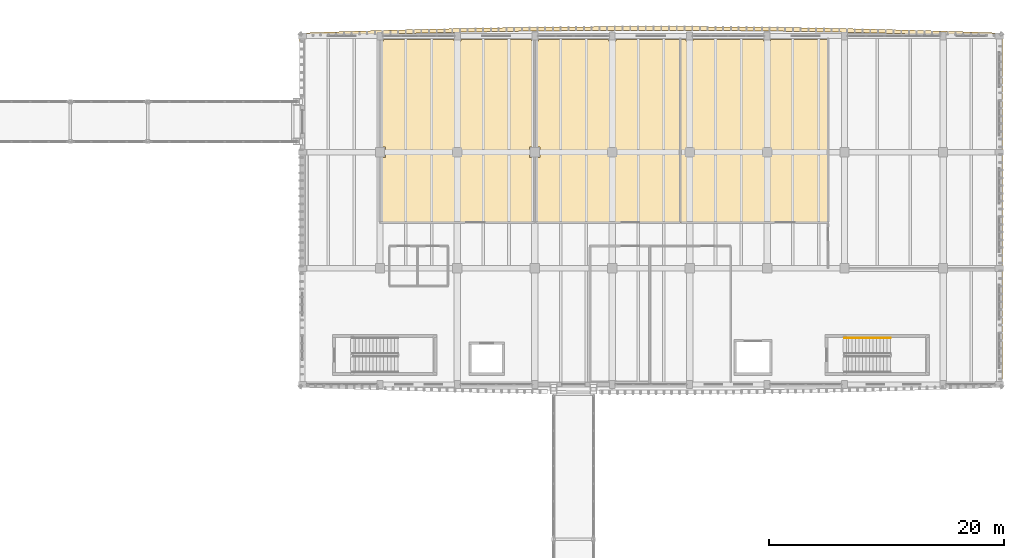
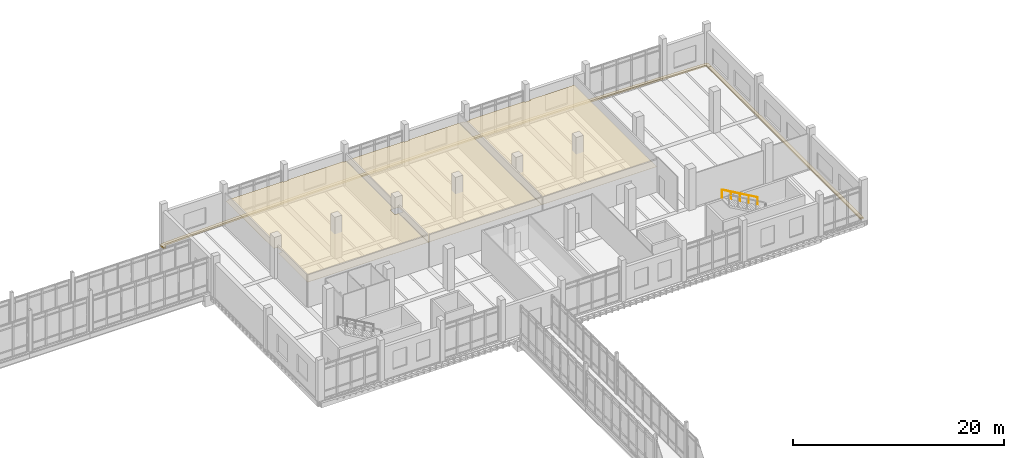
# One storey, part 118 of 125: 5 coverings, 1 railing.
"""IFC4 building model written with IfcOpenShell, lengths in metres."""

from ifc_helpers import new_model, si_unit, direction, frame, origin, origin_2d, place, context, subcontext, project, spatial, polyline, circle, outline, extrude, material, layer, layer_set, type_object, element, save


model = new_model("IFC4")

# Units and contexts
model_context = context("Model", 3, precision=1e-05, world=origin(), true_north=direction((0.0, 1.0)))
body_context = subcontext(model_context, "Body", "Model", "MODEL_VIEW")
ifc_project = project(units=[si_unit("LENGTHUNIT", "METRE"), si_unit("AREAUNIT", "SQUARE_METRE"), si_unit("VOLUMEUNIT", "CUBIC_METRE"), si_unit("PLANEANGLEUNIT", "RADIAN"), si_unit("MASSUNIT", "GRAM", prefix="KILO")], contexts=[model_context])

# Site, building, storey
site_placement = place(None, origin())
site = spatial("IfcSite", under=ifc_project, at=site_placement, CompositionType="ELEMENT")
building_placement = place(site_placement, origin())
building = spatial("IfcBuilding", under=site, at=building_placement, Name="Dornvale Research Institute", CompositionType="ELEMENT")
storey_placement = place(building_placement, frame((0.0, 0.0, 5.39990234375)))
storey = spatial("IfcBuildingStorey", under=building, at=storey_placement, Name="L01", CompositionType="ELEMENT", Elevation=5.39990234375)

# Coverings
ifc_material_1 = material(Name="Mineral-Fibre Acoustic Lay-In Ceiling Tile System")
ifc_layer_1 = layer(ifc_material_1, 0.02001953125)
ifc_layer_set_1 = layer_set([ifc_layer_1], Name="Mineral-Fibre Acoustic Lay-In Ceiling Tile System")
covering_type_1 = type_object("IfcCoveringType", Name="Covering_Acoustic_Ceiling", PredefinedType="CEILING", material=ifc_layer_set_1)
covering_1_placement = place(storey_placement, frame((0.0, 0.0, 2.85009765625)))
element("IfcCovering", 1, at=covering_1_placement, inside=storey, type_object=covering_type_1, Name="L01 Organic Chemistry Synthesis Laboratory suspended ceiling", PredefinedType="CEILING", context=body_context, shape_type="SweptSolid", body=[
    extrude(outline(polyline([(138.580078125, 111.75), (138.580078125, 106.219970703125), (125.419921875, 106.219970703125), (125.419921875, 111.75), (125.85009765625, 111.75), (125.85009765625, 112.64990234375), (125.419921875, 112.64990234375), (125.419921875, 121.699951171875), (125.699951171875, 121.699951171875), (125.699951171875, 121.800048828125), (131.699951171875, 121.800048828125), (131.699951171875, 121.699951171875), (132.300048828125, 121.699951171875), (132.300048828125, 121.800048828125), (138.300048828125, 121.800048828125), (138.300048828125, 121.699951171875), (138.580078125, 121.699951171875), (138.580078125, 112.64990234375), (138.14990234375, 112.64990234375), (138.14990234375, 111.75), (138.580078125, 111.75)])), origin(), (0.0, 0.0, 1.0), 0.02001953125),
])
covering_2_placement = place(storey_placement, frame((0.0, 0.0, 2.85009765625)))
element("IfcCovering", 2, at=covering_2_placement, inside=storey, type_object=covering_type_1, Name="L01 Analytical Chromatography Core Laboratory suspended ceiling", PredefinedType="CEILING", context=body_context, shape_type="SweptSolid", body=[
    extrude(outline(polyline([(145.5, 121.699951171875), (145.5, 121.800048828125), (150.97998046875, 121.800048828125), (150.97998046875, 106.219970703125), (138.6201171875, 106.219970703125), (138.6201171875, 111.75), (139.050048828125, 111.75), (139.050048828125, 112.64990234375), (138.6201171875, 112.64990234375), (138.6201171875, 121.699951171875), (138.89990234375, 121.699951171875), (138.89990234375, 121.800048828125), (144.89990234375, 121.800048828125), (144.89990234375, 121.699951171875), (145.5, 121.699951171875)])), origin(), (0.0, 0.0, 1.0), 0.02001953125),
])
covering_3_placement = place(storey_placement, frame((0.0, 0.0, 2.85009765625)))
element("IfcCovering", 3, at=covering_3_placement, inside=storey, type_object=covering_type_1, Name="L01 Tissue Culture BSL-2 Suite suspended ceiling", PredefinedType="CEILING", context=body_context, shape_type="SweptSolid", body=[
    extrude(outline(polyline([(163.580078125, 121.800048828125), (163.580078125, 106.219970703125), (151.02001953125, 106.219970703125), (151.02001953125, 121.800048828125), (151.5, 121.800048828125), (151.5, 121.699951171875), (152.10009765625, 121.699951171875), (152.10009765625, 121.800048828125), (158.10009765625, 121.800048828125), (158.10009765625, 121.699951171875), (158.699951171875, 121.699951171875), (158.699951171875, 121.800048828125), (163.580078125, 121.800048828125)])), origin(), (0.0, 0.0, 1.0), 0.02001953125),
])
ifc_material_2 = material(Name="Polychrome Glazed Terracotta Visor Rib Ceramic", Category="masonry")
ifc_layer_2 = layer(ifc_material_2, 0.179931640625)
ifc_layer_set_2 = layer_set([ifc_layer_2], Name="Polychrome Glazed Terracotta Visor Rib Ceramic")
covering_type_2 = type_object("IfcCoveringType", Name="Covering_VisorBrim_LowShelf", PredefinedType="CLADDING", material=ifc_layer_set_2)
covering_4_placement = place(storey_placement, frame((0.0, 0.0, -0.260009765625)))
element("IfcCovering", 4, at=covering_4_placement, inside=storey, type_object=covering_type_2, Name="L01 V4 canted bowed-brim visor hood #42", PredefinedType="CLADDING", context=body_context, shape_type="SweptSolid", body=[
    extrude(outline(polyline([(120.440673828125, 122.41845703125), (120.441162109375, 122.41845703125), (122.09130859375, 122.474609375), (122.091796875, 122.474609375), (123.74169921875, 122.527099609375), (123.7421875, 122.527099609375), (125.392333984375, 122.576416015625), (125.392822265625, 122.576416015625), (127.042724609375, 122.622314453125), (127.043212890625, 122.622314453125), (128.693359375, 122.664794921875), (128.69384765625, 122.664794921875), (130.343994140625, 122.70361328125), (130.344482421875, 122.70361328125), (131.994384765625, 122.7392578125), (131.994873046875, 122.739501953125), (133.64501953125, 122.771728515625), (133.6455078125, 122.771728515625), (135.29541015625, 122.800537109375), (135.2958984375, 122.800537109375), (136.946044921875, 122.825927734375), (136.946533203125, 122.825927734375), (138.596435546875, 122.84814453125), (138.59716796875, 122.84814453125), (140.2470703125, 122.86669921875), (140.24755859375, 122.86669921875), (141.897705078125, 122.882080078125), (141.898193359375, 122.882080078125), (143.548095703125, 122.893798828125), (143.548583984375, 122.893798828125), (145.19873046875, 122.90234375), (145.19921875, 122.90234375), (146.84912109375, 122.907470703125), (146.849609375, 122.907470703125), (148.499755859375, 122.9091796875), (148.500244140625, 122.9091796875), (150.150390625, 122.907470703125), (150.15087890625, 122.907470703125), (151.80078125, 122.90234375), (151.80126953125, 122.90234375), (153.451416015625, 122.893798828125), (153.451904296875, 122.893798828125), (155.101806640625, 122.882080078125), (155.102294921875, 122.882080078125), (156.75244140625, 122.86669921875), (156.7529296875, 122.86669921875), (158.40283203125, 122.84814453125), (158.403564453125, 122.84814453125), (160.053466796875, 122.825927734375), (160.053955078125, 122.825927734375), (161.7041015625, 122.800537109375), (161.70458984375, 122.800537109375), (163.3544921875, 122.771728515625), (163.35498046875, 122.771728515625), (165.005126953125, 122.739501953125), (165.005615234375, 122.7392578125), (166.655517578125, 122.70361328125), (166.656005859375, 122.70361328125), (168.30615234375, 122.664794921875), (168.306640625, 122.664794921875), (169.956787109375, 122.622314453125), (169.957275390625, 122.622314453125), (171.607177734375, 122.576416015625), (171.607666015625, 122.576416015625), (173.2578125, 122.527099609375), (173.25830078125, 122.527099609375), (174.908203125, 122.474609375), (174.90869140625, 122.474609375), (176.558837890625, 122.41845703125), (176.559326171875, 122.41845703125), (178.209228515625, 122.35888671875), (178.3056640625, 122.336669921875), (178.386474609375, 122.280029296875), (178.4404296875, 122.197021484375), (178.459228515625, 122.10009765625), (178.459228515625, 121.64990234375), (178.139892578125, 121.64990234375), (178.139892578125, 122.0419921875), (176.5478515625, 122.099365234375), (174.89794921875, 122.155517578125), (173.248046875, 122.2080078125), (171.598388671875, 122.25732421875), (169.948486328125, 122.302978515625), (168.298583984375, 122.345703125), (166.648681640625, 122.384521484375), (164.998779296875, 122.420166015625), (163.348876953125, 122.452392578125), (161.698974609375, 122.4814453125), (160.049072265625, 122.5068359375), (158.3994140625, 122.52880859375), (156.74951171875, 122.547607421875), (155.099609375, 122.562744140625), (153.44970703125, 122.57470703125), (151.7998046875, 122.583251953125), (150.14990234375, 122.58837890625), (148.5, 122.590087890625), (146.85009765625, 122.58837890625), (145.2001953125, 122.583251953125), (143.55029296875, 122.57470703125), (141.900390625, 122.562744140625), (140.25048828125, 122.547607421875), (138.6005859375, 122.52880859375), (136.950927734375, 122.5068359375), (135.301025390625, 122.4814453125), (133.651123046875, 122.452392578125), (132.001220703125, 122.420166015625), (130.351318359375, 122.384521484375), (128.701416015625, 122.345703125), (127.051513671875, 122.302978515625), (125.401611328125, 122.25732421875), (123.751953125, 122.2080078125), (122.10205078125, 122.155517578125), (120.4521484375, 122.099365234375), (118.860107421875, 122.0419921875), (118.860107421875, 121.64990234375), (118.540771484375, 121.64990234375), (118.540771484375, 122.10009765625), (118.5595703125, 122.197021484375), (118.613525390625, 122.280029296875), (118.6943359375, 122.336669921875), (118.790771484375, 122.35888671875), (120.440673828125, 122.41845703125)])), origin(), (0.0, 0.0, 1.0), 0.18017578125),
])
covering_5_placement = place(storey_placement, frame((0.0, 0.0, -0.260009765625)))
element("IfcCovering", 5, at=covering_5_placement, inside=storey, type_object=covering_type_2, Name="L01 V4 canted bowed-brim visor hood #45", PredefinedType="CLADDING", context=body_context, shape_type="SweptSolid", body=[
    extrude(outline(polyline([(178.459228515625, 92.85009765625), (178.139892578125, 92.85009765625), (178.139892578125, 121.64990234375), (178.459228515625, 121.64990234375), (178.459228515625, 92.85009765625)])), origin(), (0.0, 0.0, 1.0), 0.18017578125),
])

# Railing
ifc_material_3 = material(Name="Galvanized Painted Tubular Steel Stair Rail", Category="steel")
ifc_layer_3 = layer(ifc_material_3, 0.044921875)
ifc_layer_set_3 = layer_set([ifc_layer_3], Name="Galvanized Painted Tubular Steel Stair Rail")
railing_type = type_object("IfcRailingType", Name="Railing_Stair_Handrail_900", PredefinedType="HANDRAIL", material=ifc_layer_set_3)
railing_placement = place(storey_placement, frame((168.919921875, 96.35009765625, 2.571533203125)))
element("IfcRailing", 6, at=railing_placement, inside=storey, type_object=railing_type, Name="L01 ST-4 stair handrail 2", PredefinedType="HANDRAIL", context=body_context, shape_type="SweptSolid", body=[
    extrude(circle(Radius=0.02392578125, at=origin_2d()), frame((0.0, 0.0, 0.8759765625), z_axis=(-0.868243142124, 0.0, 0.496138938357), x_axis=(0.0, -1.0, 0.0)), (0.0, 0.0, 1.0), 4.49169921875),
    extrude(circle(Radius=0.02099609375, at=origin_2d()), origin(), (0.0, 0.0, 1.0), 0.851806640625),
    extrude(circle(Radius=0.02099609375, at=origin_2d()), frame((-0.97509765625, 0.0, 0.55712890625)), (0.0, 0.0, 1.0), 0.851806640625),
    extrude(circle(Radius=0.02099609375, at=origin_2d()), frame((-1.949951171875, 0.0, 1.1142578125)), (0.0, 0.0, 1.0), 0.851806640625),
    extrude(circle(Radius=0.02099609375, at=origin_2d()), frame((-2.9248046875, 0.0, 1.67138671875)), (0.0, 0.0, 1.0), 0.851806640625),
    extrude(circle(Radius=0.02099609375, at=origin_2d()), frame((-3.89990234375, 0.0, 2.228515625)), (0.0, 0.0, 1.0), 0.851806640625),
])

save(model, "model.ifc")
